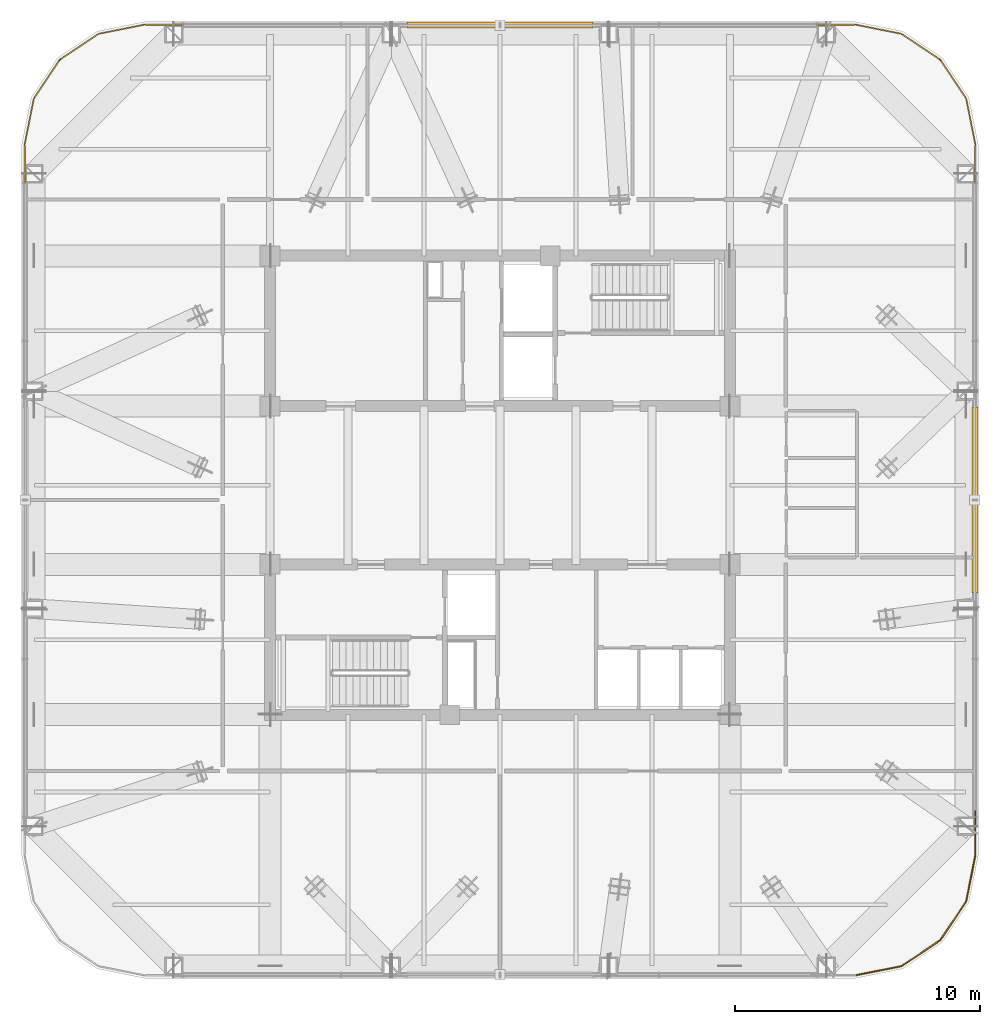
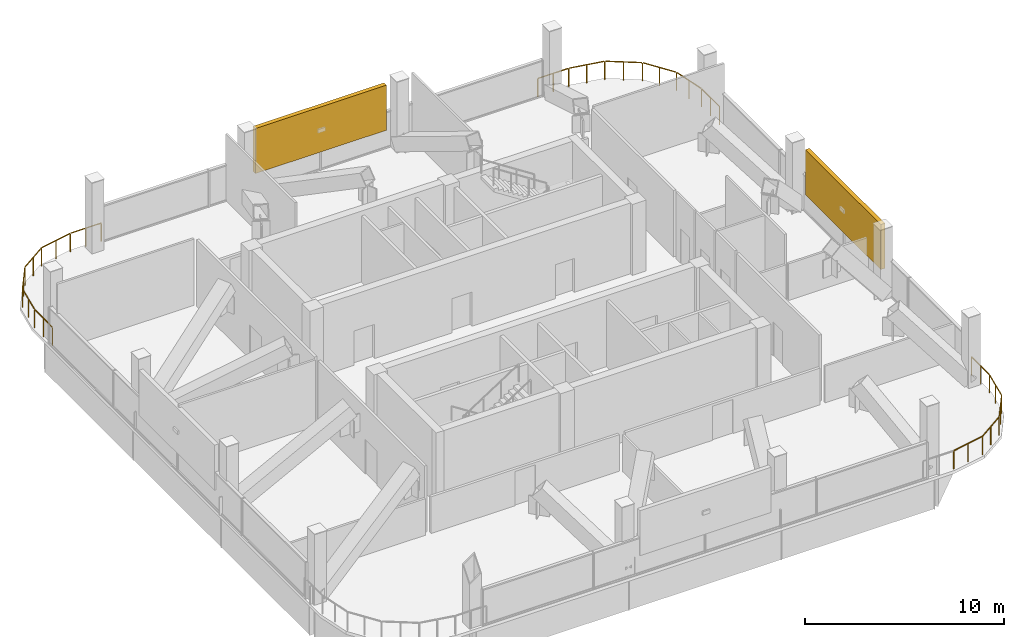
# One storey, part 19 of 19: 3 railings, 2 shading devices.
"""IFC4 building model written with IfcOpenShell, lengths in metres."""

from ifc_helpers import new_model, si_unit, direction, frame, origin, origin_2d, place, context, subcontext, project, spatial, rectangle, extrude, material, type_object, element, save


model = new_model("IFC4")

# Units and contexts
model_context = context("Model", 3, precision=1e-05, world=origin(), true_north=direction((0.0, 1.0)))
body_context = subcontext(model_context, "Body", "Model", "MODEL_VIEW")
ifc_project = project(units=[si_unit("LENGTHUNIT", "METRE"), si_unit("AREAUNIT", "SQUARE_METRE"), si_unit("VOLUMEUNIT", "CUBIC_METRE"), si_unit("PLANEANGLEUNIT", "RADIAN"), si_unit("MASSUNIT", "GRAM", prefix="KILO")], contexts=[model_context])

# Site, building, storey
site_placement = place(None, origin())
site = spatial("IfcSite", under=ifc_project, at=site_placement, CompositionType="ELEMENT")
building_placement = place(site_placement, origin())
building = spatial("IfcBuilding", under=site, at=building_placement, Name="Qhalaya Broadcast Tower", CompositionType="ELEMENT")
storey_placement = place(building_placement, frame((0.0, 0.0, 226.949951171875)))
storey = spatial("IfcBuildingStorey", under=building, at=storey_placement, Name="L67", CompositionType="ELEMENT", Elevation=226.949951171875)

# Railings
ifc_material_1 = material(Name="Powder-Coated Galvanised Steel", Category="steel")
railing_type = type_object("IfcRailingType", Name="Terrace, Sky-Pool & Lookout Glass Balustrade 1150", PredefinedType="BALUSTRADE", material=ifc_material_1)
railing_1_placement = place(storey_placement, frame((-19.3798828125, 12.681884765625, 0.0)))
element("IfcRailing", 1, at=railing_1_placement, inside=storey, type_object=railing_type, Name="L67 Rounded Corner Perimeter Guard 03", PredefinedType="BALUSTRADE", context=body_context, shape_type="SweptSolid", body=[
    extrude(rectangle(XDim=0.048095703125, YDim=0.048095703125, at=origin_2d()), frame((0.0, 0.0, 1.1259765625), z_axis=(0.0, 1.0, 0.0), x_axis=(-1.0, 0.0, 0.0)), (0.0, 0.0, 1.0), 1.777587890625),
    extrude(rectangle(XDim=0.048095703125, YDim=0.048095703125, at=origin_2d()), frame((0.005615234375, 1.834716796875, 1.1259765625), z_axis=(0.195037378397, 0.980795810058, 0.0), x_axis=(-0.980795810058, 0.195037378397, 0.0)), (0.0, 0.0, 1.0), 1.857421875),
    extrude(rectangle(XDim=0.048095703125, YDim=0.048095703125, at=origin_2d()), frame((0.3896484375, 3.708740234375, 1.1259765625), z_axis=(0.555617615188, 0.831437950597, 0.0), x_axis=(-0.831437950597, 0.555617615188, 0.0)), (0.0, 0.0, 1.0), 1.845458984375),
    extrude(rectangle(XDim=0.048095703125, YDim=0.048095703125, at=origin_2d()), frame((1.454833984375, 5.283203125, 1.1259765625), z_axis=(0.831437950597, 0.555617615188, 0.0), x_axis=(-0.555617615188, 0.831437950597, 0.0)), (0.0, 0.0, 1.0), 1.845458984375),
    extrude(rectangle(XDim=0.048095703125, YDim=0.048095703125, at=origin_2d()), frame((3.04150390625, 6.330078125, 1.1259765625), z_axis=(0.980795810058, 0.195037378397, 0.0), x_axis=(-0.195037378397, 0.980795810058, 0.0)), (0.0, 0.0, 1.0), 1.857421875),
    extrude(rectangle(XDim=0.048095703125, YDim=0.048095703125, at=origin_2d()), frame((4.92041015625, 6.697998046875, 1.1259765625), z_axis=(1.0, 0.0, 0.0), x_axis=(0.0, 1.0, 0.0)), (0.0, 0.0, 1.0), 1.777587890625),
    extrude(rectangle(XDim=0.0419921875, YDim=0.0419921875, at=origin_2d()), origin(), (0.0, 0.0, 1.0), 1.099853515625),
    extrude(rectangle(XDim=0.0419921875, YDim=0.0419921875, at=origin_2d()), frame((0.0, 0.9033203125, 0.0)), (0.0, 0.0, 1.0), 1.099853515625),
    extrude(rectangle(XDim=0.0419921875, YDim=0.0419921875, at=origin_2d()), frame((0.0, 1.806396484375, 0.0)), (0.0, 0.0, 1.0), 1.099853515625),
    extrude(rectangle(XDim=0.0419921875, YDim=0.0419921875, at=origin_2d()), frame((0.186767578125, 2.74560546875, 0.0)), (0.0, 0.0, 1.0), 1.099853515625),
    extrude(rectangle(XDim=0.0419921875, YDim=0.0419921875, at=origin_2d()), frame((0.37353515625, 3.684814453125, 0.0)), (0.0, 0.0, 1.0), 1.099853515625),
    extrude(rectangle(XDim=0.0419921875, YDim=0.0419921875, at=origin_2d()), frame((0.90234375, 4.47607421875, 0.0)), (0.0, 0.0, 1.0), 1.099853515625),
    extrude(rectangle(XDim=0.0419921875, YDim=0.0419921875, at=origin_2d()), frame((1.430908203125, 5.26708984375, 0.0)), (0.0, 0.0, 1.0), 1.099853515625),
    extrude(rectangle(XDim=0.0419921875, YDim=0.0419921875, at=origin_2d()), frame((2.22216796875, 5.7958984375, 0.0)), (0.0, 0.0, 1.0), 1.099853515625),
    extrude(rectangle(XDim=0.0419921875, YDim=0.0419921875, at=origin_2d()), frame((3.01318359375, 6.324462890625, 0.0)), (0.0, 0.0, 1.0), 1.099853515625),
    extrude(rectangle(XDim=0.0419921875, YDim=0.0419921875, at=origin_2d()), frame((3.952392578125, 6.51123046875, 0.0)), (0.0, 0.0, 1.0), 1.099853515625),
    extrude(rectangle(XDim=0.0419921875, YDim=0.0419921875, at=origin_2d()), frame((4.8916015625, 6.697998046875, 0.0)), (0.0, 0.0, 1.0), 1.099853515625),
    extrude(rectangle(XDim=0.0419921875, YDim=0.0419921875, at=origin_2d()), frame((5.794921875, 6.697998046875, 0.0)), (0.0, 0.0, 1.0), 1.099853515625),
    extrude(rectangle(XDim=0.0419921875, YDim=0.0419921875, at=origin_2d()), frame((6.697998046875, 6.697998046875, 0.0)), (0.0, 0.0, 1.0), 1.099853515625),
])
railing_2_placement = place(storey_placement, frame((12.681884765625, 19.3798828125, 0.0)))
element("IfcRailing", 2, at=railing_2_placement, inside=storey, type_object=railing_type, Name="L67 Rounded Corner Perimeter Guard 04", PredefinedType="BALUSTRADE", context=body_context, shape_type="SweptSolid", body=[
    extrude(rectangle(XDim=0.048095703125, YDim=0.048095703125, at=origin_2d()), frame((0.0, 0.0, 1.1259765625), z_axis=(1.0, 0.0, 0.0), x_axis=(0.0, 1.0, 0.0)), (0.0, 0.0, 1.0), 1.777587890625),
    extrude(rectangle(XDim=0.048095703125, YDim=0.048095703125, at=origin_2d()), frame((1.834716796875, -0.005615234375, 1.1259765625), z_axis=(0.980795810058, -0.195037378397, 0.0), x_axis=(0.195037378397, 0.980795810058, 0.0)), (0.0, 0.0, 1.0), 1.857421875),
    extrude(rectangle(XDim=0.048095703125, YDim=0.048095703125, at=origin_2d()), frame((3.708740234375, -0.3896484375, 1.1259765625), z_axis=(0.831437950597, -0.555617615188, 0.0), x_axis=(0.555617615188, 0.831437950597, 0.0)), (0.0, 0.0, 1.0), 1.845458984375),
    extrude(rectangle(XDim=0.048095703125, YDim=0.048095703125, at=origin_2d()), frame((5.283203125, -1.454833984375, 1.1259765625), z_axis=(0.555617615188, -0.831437950597, 0.0), x_axis=(0.831437950597, 0.555617615188, 0.0)), (0.0, 0.0, 1.0), 1.845458984375),
    extrude(rectangle(XDim=0.048095703125, YDim=0.048095703125, at=origin_2d()), frame((6.330078125, -3.04150390625, 1.1259765625), z_axis=(0.195037378397, -0.980795810058, 0.0), x_axis=(0.980795810058, 0.195037378397, 0.0)), (0.0, 0.0, 1.0), 1.857421875),
    extrude(rectangle(XDim=0.048095703125, YDim=0.048095703125, at=origin_2d()), frame((6.697998046875, -4.92041015625, 1.1259765625), z_axis=(0.0, -1.0, 0.0), x_axis=(1.0, 0.0, 0.0)), (0.0, 0.0, 1.0), 1.777587890625),
    extrude(rectangle(XDim=0.0419921875, YDim=0.0419921875, at=origin_2d()), origin(), (0.0, 0.0, 1.0), 1.099853515625),
    extrude(rectangle(XDim=0.0419921875, YDim=0.0419921875, at=origin_2d()), frame((0.9033203125, 0.0, 0.0)), (0.0, 0.0, 1.0), 1.099853515625),
    extrude(rectangle(XDim=0.0419921875, YDim=0.0419921875, at=origin_2d()), frame((1.806396484375, 0.0, 0.0)), (0.0, 0.0, 1.0), 1.099853515625),
    extrude(rectangle(XDim=0.0419921875, YDim=0.0419921875, at=origin_2d()), frame((2.74560546875, -0.186767578125, 0.0)), (0.0, 0.0, 1.0), 1.099853515625),
    extrude(rectangle(XDim=0.0419921875, YDim=0.0419921875, at=origin_2d()), frame((3.684814453125, -0.37353515625, 0.0)), (0.0, 0.0, 1.0), 1.099853515625),
    extrude(rectangle(XDim=0.0419921875, YDim=0.0419921875, at=origin_2d()), frame((4.47607421875, -0.90234375, 0.0)), (0.0, 0.0, 1.0), 1.099853515625),
    extrude(rectangle(XDim=0.0419921875, YDim=0.0419921875, at=origin_2d()), frame((5.26708984375, -1.430908203125, 0.0)), (0.0, 0.0, 1.0), 1.099853515625),
    extrude(rectangle(XDim=0.0419921875, YDim=0.0419921875, at=origin_2d()), frame((5.7958984375, -2.22216796875, 0.0)), (0.0, 0.0, 1.0), 1.099853515625),
    extrude(rectangle(XDim=0.0419921875, YDim=0.0419921875, at=origin_2d()), frame((6.324462890625, -3.01318359375, 0.0)), (0.0, 0.0, 1.0), 1.099853515625),
    extrude(rectangle(XDim=0.0419921875, YDim=0.0419921875, at=origin_2d()), frame((6.51123046875, -3.952392578125, 0.0)), (0.0, 0.0, 1.0), 1.099853515625),
    extrude(rectangle(XDim=0.0419921875, YDim=0.0419921875, at=origin_2d()), frame((6.697998046875, -4.8916015625, 0.0)), (0.0, 0.0, 1.0), 1.099853515625),
    extrude(rectangle(XDim=0.0419921875, YDim=0.0419921875, at=origin_2d()), frame((6.697998046875, -5.794921875, 0.0)), (0.0, 0.0, 1.0), 1.099853515625),
    extrude(rectangle(XDim=0.0419921875, YDim=0.0419921875, at=origin_2d()), frame((6.697998046875, -6.697998046875, 0.0)), (0.0, 0.0, 1.0), 1.099853515625),
])
railing_3_placement = place(storey_placement, frame((19.3798828125, -12.681884765625, 0.0)))
element("IfcRailing", 3, at=railing_3_placement, inside=storey, type_object=railing_type, Name="L67 Rounded Corner Perimeter Guard 05", PredefinedType="BALUSTRADE", context=body_context, shape_type="SweptSolid", body=[
    extrude(rectangle(XDim=0.048095703125, YDim=0.048095703125, at=origin_2d()), frame((0.0, 0.0, 1.1259765625), z_axis=(0.0, -1.0, 0.0), x_axis=(1.0, 0.0, 0.0)), (0.0, 0.0, 1.0), 1.777587890625),
    extrude(rectangle(XDim=0.048095703125, YDim=0.048095703125, at=origin_2d()), frame((-0.005615234375, -1.834716796875, 1.1259765625), z_axis=(-0.195037378397, -0.980795810058, 0.0), x_axis=(0.980795810058, -0.195037378397, 0.0)), (0.0, 0.0, 1.0), 1.857421875),
    extrude(rectangle(XDim=0.048095703125, YDim=0.048095703125, at=origin_2d()), frame((-0.3896484375, -3.708740234375, 1.1259765625), z_axis=(-0.555617615188, -0.831437950597, 0.0), x_axis=(0.831437950597, -0.555617615188, 0.0)), (0.0, 0.0, 1.0), 1.845458984375),
    extrude(rectangle(XDim=0.048095703125, YDim=0.048095703125, at=origin_2d()), frame((-1.454833984375, -5.283203125, 1.1259765625), z_axis=(-0.831437950597, -0.555617615188, 0.0), x_axis=(0.555617615188, -0.831437950597, 0.0)), (0.0, 0.0, 1.0), 1.845458984375),
    extrude(rectangle(XDim=0.048095703125, YDim=0.048095703125, at=origin_2d()), frame((-3.04150390625, -6.330078125, 1.1259765625), z_axis=(-0.980795810058, -0.195037378397, 0.0), x_axis=(0.195037378397, -0.980795810058, 0.0)), (0.0, 0.0, 1.0), 1.88623046875),
    extrude(rectangle(XDim=0.0419921875, YDim=0.0419921875, at=origin_2d()), origin(), (0.0, 0.0, 1.0), 1.099853515625),
    extrude(rectangle(XDim=0.0419921875, YDim=0.0419921875, at=origin_2d()), frame((0.0, -0.9033203125, 0.0)), (0.0, 0.0, 1.0), 1.099853515625),
    extrude(rectangle(XDim=0.0419921875, YDim=0.0419921875, at=origin_2d()), frame((0.0, -1.806396484375, 0.0)), (0.0, 0.0, 1.0), 1.099853515625),
    extrude(rectangle(XDim=0.0419921875, YDim=0.0419921875, at=origin_2d()), frame((-0.186767578125, -2.74560546875, 0.0)), (0.0, 0.0, 1.0), 1.099853515625),
    extrude(rectangle(XDim=0.0419921875, YDim=0.0419921875, at=origin_2d()), frame((-0.37353515625, -3.684814453125, 0.0)), (0.0, 0.0, 1.0), 1.099853515625),
    extrude(rectangle(XDim=0.0419921875, YDim=0.0419921875, at=origin_2d()), frame((-0.90234375, -4.47607421875, 0.0)), (0.0, 0.0, 1.0), 1.099853515625),
    extrude(rectangle(XDim=0.0419921875, YDim=0.0419921875, at=origin_2d()), frame((-1.430908203125, -5.26708984375, 0.0)), (0.0, 0.0, 1.0), 1.099853515625),
    extrude(rectangle(XDim=0.0419921875, YDim=0.0419921875, at=origin_2d()), frame((-2.22216796875, -5.7958984375, 0.0)), (0.0, 0.0, 1.0), 1.099853515625),
    extrude(rectangle(XDim=0.0419921875, YDim=0.0419921875, at=origin_2d()), frame((-3.01318359375, -6.324462890625, 0.0)), (0.0, 0.0, 1.0), 1.099853515625),
    extrude(rectangle(XDim=0.0419921875, YDim=0.0419921875, at=origin_2d()), frame((-3.952392578125, -6.51123046875, 0.0)), (0.0, 0.0, 1.0), 1.099853515625),
    extrude(rectangle(XDim=0.0419921875, YDim=0.0419921875, at=origin_2d()), frame((-4.8916015625, -6.697998046875, 0.0)), (0.0, 0.0, 1.0), 1.099853515625),
])

# Shading devices
ifc_material_2 = material(Name="Fired Architectural Terracotta", Category="masonry")
shading_device_type = type_object("IfcShadingDeviceType", Name="Terracotta Baguette Solar Screen Assembly TBS-01", PredefinedType="USERDEFINED", material=ifc_material_2)
for number, where, z_axis, x_axis, name in (
    (4, (19.360107421875, 0.0, 1.139404296875), (0.0, 0.0, 1.0), (0.0, 1.0, 0.0), "L67 Fired Terracotta Baguette Screen E"),
    (5, (0.0, 19.360107421875, 1.139404296875), (0.0, 0.0, 1.0), (-1.0, 0.0, 0.0), "L67 Fired Terracotta Baguette Screen N"),
):
    element("IfcShadingDevice", number, at=place(storey_placement, frame(where, z_axis=z_axis, x_axis=x_axis)), inside=storey, type_object=shading_device_type, Name=name, ObjectType="BAGUETTE", PredefinedType="USERDEFINED", context=body_context, shape_type="SweptSolid", body=[
        extrude(rectangle(XDim=7.60009765625, YDim=0.239990234375, at=origin_2d()), origin(), (0.0, 0.0, 1.0), 2.76806640625),
    ])

save(model, "model.ifc")
